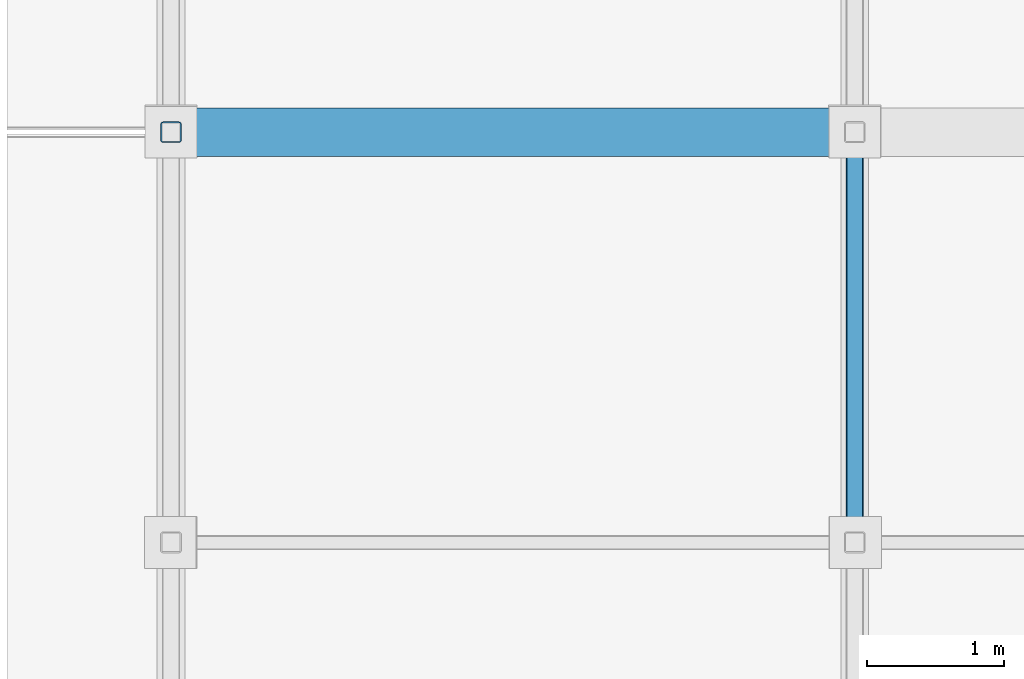
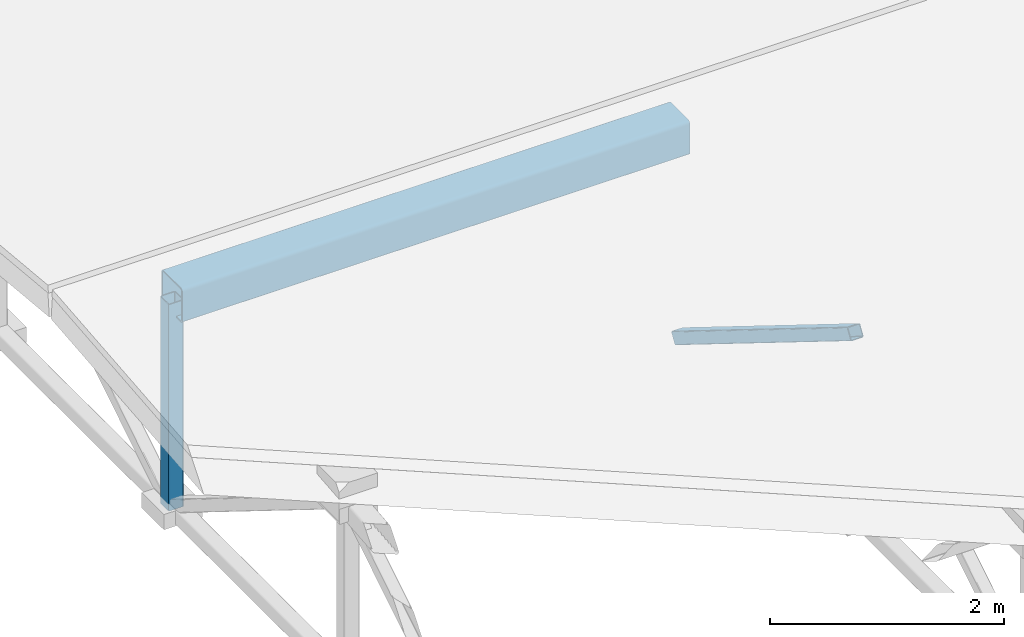
# One storey, part 10 of 25: 3 members.
"""IFC4 building model written with IfcOpenShell, lengths in metres."""

from ifc_helpers import new_model, si_unit, direction, frame, origin, origin_2d, place, context, subcontext, project, spatial, hollow_rectangle, extrude, material, material_profile, profile_set, type_object, element, save


model = new_model("IFC4")

# Units and contexts
model_context = context("Model", 3, precision=1e-05, world=origin(), true_north=direction((0.0, 1.0)))
body_context = subcontext(model_context, "Body", "Model", "MODEL_VIEW")
ifc_project = project(units=[si_unit("LENGTHUNIT", "METRE"), si_unit("AREAUNIT", "SQUARE_METRE"), si_unit("VOLUMEUNIT", "CUBIC_METRE"), si_unit("PLANEANGLEUNIT", "RADIAN"), si_unit("MASSUNIT", "GRAM", prefix="KILO"), si_unit("THERMODYNAMICTEMPERATUREUNIT", "KELVIN"), si_unit("POWERUNIT", "WATT")], contexts=[model_context])

# Site, building, storey
site_placement = place(None, origin())
site = spatial("IfcSite", under=ifc_project, at=site_placement, CompositionType="ELEMENT")
building_placement = place(site_placement, origin())
building = spatial("IfcBuilding", under=site, at=building_placement, Name="Zelmaris Science Centre", CompositionType="ELEMENT")
storey_placement = place(building_placement, frame((0.0, 0.0, 30.0)))
storey = spatial("IfcBuildingStorey", under=building, at=storey_placement, Name="RF", CompositionType="ELEMENT", Elevation=30.0)

# Members
ifc_material = material(Name="Steel ASTM A500 Grade C", Category="steel")
ifc_material_profile_1 = material_profile(ifc_material, hollow_rectangle(XDim=0.355712890625, YDim=0.355712890625, WallThickness=0.0146484375, InnerFilletRadius=0.0146484375, OuterFilletRadius=0.029296875, at=origin_2d()), Name="HSS356X356X16")
ifc_profile_set_1 = profile_set([ifc_material_profile_1], Name="Steel ASTM A500 Grade C")
member_type_1 = type_object("IfcMemberType", Name="Roof Purlin PR-08 HSS356X356X16", PredefinedType="PURLIN", material=ifc_profile_set_1)
member_1_placement = place(storey_placement, frame((58.0, 76.0, 2.51611328125), z_axis=(1.0, 0.0, 0.0), x_axis=(0.0, 1.0, 0.0)))
element("IfcMember", 1, at=member_1_placement, inside=storey, type_object=member_type_1, Name="RF-V5 Roof purlin 5", PredefinedType="PURLIN", context=body_context, shape_type="SweptSolid", body=[
    extrude(hollow_rectangle(XDim=0.355712890625, YDim=0.355712890625, WallThickness=0.0146484375, InnerFilletRadius=0.0146484375, OuterFilletRadius=0.029296875, at=origin_2d()), origin(), (0.0, 0.0, 1.0), 5.0),
])
ifc_material_profile_2 = material_profile(ifc_material, hollow_rectangle(XDim=0.15234375, YDim=0.15234375, WallThickness=0.0087890625, InnerFilletRadius=0.0087890625, OuterFilletRadius=0.017822265625, at=origin_2d()), Name="HSS152X152X10")
ifc_profile_set_2 = profile_set([ifc_material_profile_2], Name="Steel ASTM A500 Grade C")
member_type_2 = type_object("IfcMemberType", Name="Structural Brace BR-03 HSS152X152X10", PredefinedType="BRACE", material=ifc_profile_set_2)
member_2_placement = place(storey_placement, frame((58.0, 76.0, 0.347412109375), z_axis=(0.0, 0.0, 1.0), x_axis=(1.0, 0.0, 0.0)))
element("IfcMember", 2, at=member_2_placement, inside=storey, type_object=member_type_2, Name="RF-V5 Roof truss 1 vertical web 4", PredefinedType="BRACE", context=body_context, shape_type="SweptSolid", body=[
    extrude(hollow_rectangle(XDim=0.15234375, YDim=0.15234375, WallThickness=0.0087890625, InnerFilletRadius=0.0087890625, OuterFilletRadius=0.017822265625, at=origin_2d()), origin(), (0.0, 0.0, 1.0), 2.14990234375),
])
ifc_material_profile_3 = material_profile(ifc_material, hollow_rectangle(XDim=0.126953125, YDim=0.126953125, WallThickness=0.00732421875, InnerFilletRadius=0.00732421875, OuterFilletRadius=0.014892578125, at=origin_2d()), Name="HSS127X127X8")
ifc_profile_set_3 = profile_set([ifc_material_profile_3], Name="Steel ASTM A500 Grade C")
member_type_3 = type_object("IfcMemberType", Name="Structural Brace BR-04 HSS127X127X8", PredefinedType="BRACE", material=ifc_profile_set_3)
member_3_placement = place(storey_placement, frame((63.0, 73.0, 2.209716796875), z_axis=(0.0, 0.84961025299, -0.52741105223), x_axis=(-1.0, 0.0, 0.0)))
element("IfcMember", 3, at=member_3_placement, inside=storey, type_object=member_type_3, Name="RF-V5 Roof truss 2 web diagonal 4", PredefinedType="BRACE", context=body_context, shape_type="SweptSolid", body=[
    extrude(hollow_rectangle(XDim=0.126953125, YDim=0.126953125, WallThickness=0.00732421875, InnerFilletRadius=0.00732421875, OuterFilletRadius=0.014892578125, at=origin_2d()), origin(), (0.0, 0.0, 1.0), 3.531005859375),
])

save(model, "model.ifc")
